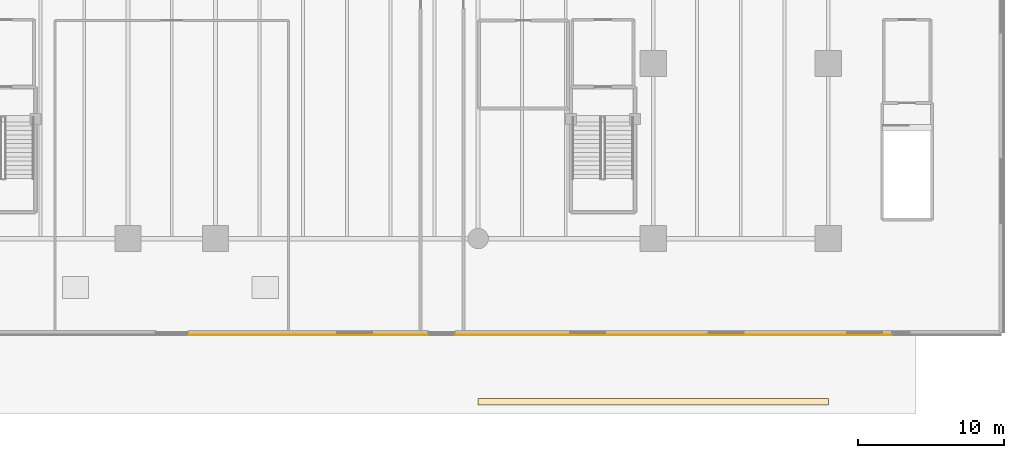
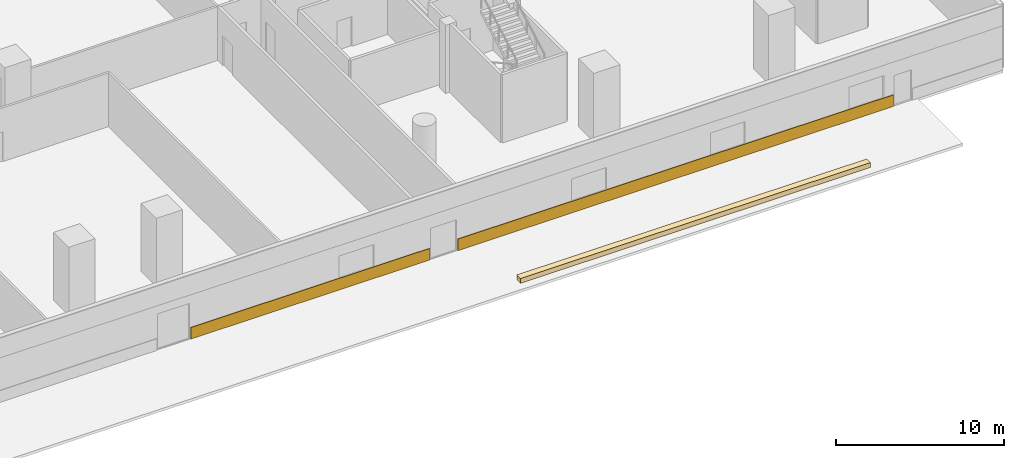
# One storey, part 21 of 25: 3 coverings.
"""IFC4 building model written with IfcOpenShell, lengths in metres."""

from ifc_helpers import new_model, si_unit, direction, frame, origin, origin_2d, place, context, subcontext, project, spatial, polyline, rectangle, outline, extrude, material, layer, layer_set, type_object, element, save


model = new_model("IFC4")

# Units and contexts
model_context = context("Model", 3, precision=1e-05, world=origin(), true_north=direction((0.0, 1.0)))
body_context = subcontext(model_context, "Body", "Model", "MODEL_VIEW")
ifc_project = project(units=[si_unit("LENGTHUNIT", "METRE"), si_unit("AREAUNIT", "SQUARE_METRE"), si_unit("VOLUMEUNIT", "CUBIC_METRE"), si_unit("PLANEANGLEUNIT", "RADIAN"), si_unit("MASSUNIT", "GRAM", prefix="KILO")], contexts=[model_context])

# Site, building, storey
site_placement = place(None, origin())
site = spatial("IfcSite", under=ifc_project, at=site_placement, CompositionType="ELEMENT")
building_placement = place(site_placement, origin())
building = spatial("IfcBuilding", under=site, at=building_placement, Name="Tanjung Sevakor Pilgrim Tower", CompositionType="ELEMENT")
storey_placement = place(building_placement, origin())
storey = spatial("IfcBuildingStorey", under=building, at=storey_placement, Name="L01", CompositionType="ELEMENT", Elevation=0.0)

# Coverings
ifc_material_1 = material(Name="Reconstructed Limestone Cladding", Category="masonry")
ifc_layer_1 = layer(ifc_material_1, 0.044921875)
ifc_layer_set_1 = layer_set([ifc_layer_1], Name="COV-CLAD-LIMESTONE")
covering_type_1 = type_object("IfcCoveringType", Name="COV-CLAD-LIMESTONE", PredefinedType="CLADDING", material=ifc_layer_set_1)
covering_1_placement = place(storey_placement, frame((66.35009765625, -0.0224609375, 0.009765625), z_axis=(0.0, 0.0, 1.0), x_axis=(1.0, 0.0, 0.0)))
element("IfcCovering", 1, at=covering_1_placement, inside=storey, type_object=covering_type_1, Name="L01 Warm Limestone Sill Spandrel EW-L01-MAIN-1-6", PredefinedType="CLADDING", context=body_context, shape_type="SweptSolid", body=[
    extrude(rectangle(XDim=16.3798828125, YDim=0.044921875, at=origin_2d()), origin(), (0.0, 0.0, 1.0), 0.840087890625),
])
covering_2_placement = place(storey_placement, frame((91.39990234375, -0.0224609375, 0.009765625), z_axis=(0.0, 0.0, 1.0), x_axis=(1.0, 0.0, 0.0)))
element("IfcCovering", 2, at=covering_2_placement, inside=storey, type_object=covering_type_1, Name="L01 Warm Limestone Sill Spandrel EW-L01-MAIN-1-7", PredefinedType="CLADDING", context=body_context, shape_type="SweptSolid", body=[
    extrude(rectangle(XDim=29.8798828125, YDim=0.044921875, at=origin_2d()), origin(), (0.0, 0.0, 1.0), 0.840087890625),
])
ifc_material_2 = material(Name="Vegetated Modular Planter Assembly", Category="organic")
ifc_layer_2 = layer(ifc_material_2, 0.35009765625)
ifc_layer_set_2 = layer_set([ifc_layer_2], Name="COV-GRN-TROUGH")
covering_type_2 = type_object("IfcCoveringType", Name="COV-GRN-TROUGH", PredefinedType="CLADDING", material=ifc_layer_set_2)
covering_3_placement = place(storey_placement, origin())
element("IfcCovering", 3, at=covering_3_placement, inside=storey, type_object=covering_type_2, Name="L01 Planted Landscape Hedge Trough PLZ-GRN-L01-2", PredefinedType="CLADDING", context=body_context, shape_type="SweptSolid", body=[
    extrude(outline(polyline([(78.0, -4.820068359375), (102.0, -4.820068359375), (102.0, -4.3798828125), (78.0, -4.3798828125), (78.0, -4.820068359375)])), origin(), (0.0, 0.0, 1.0), 0.35009765625),
])

save(model, "model.ifc")
